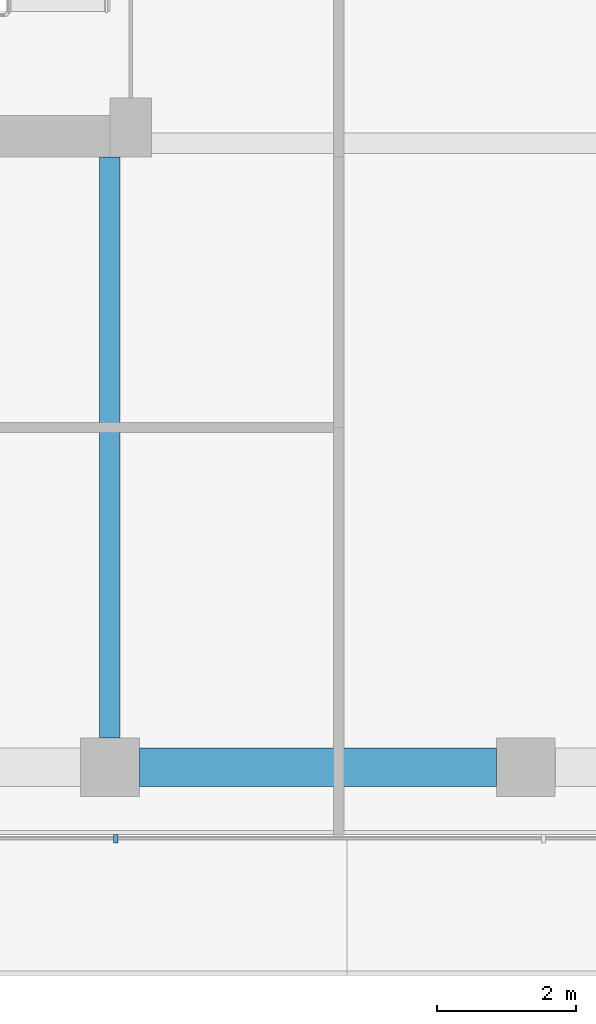
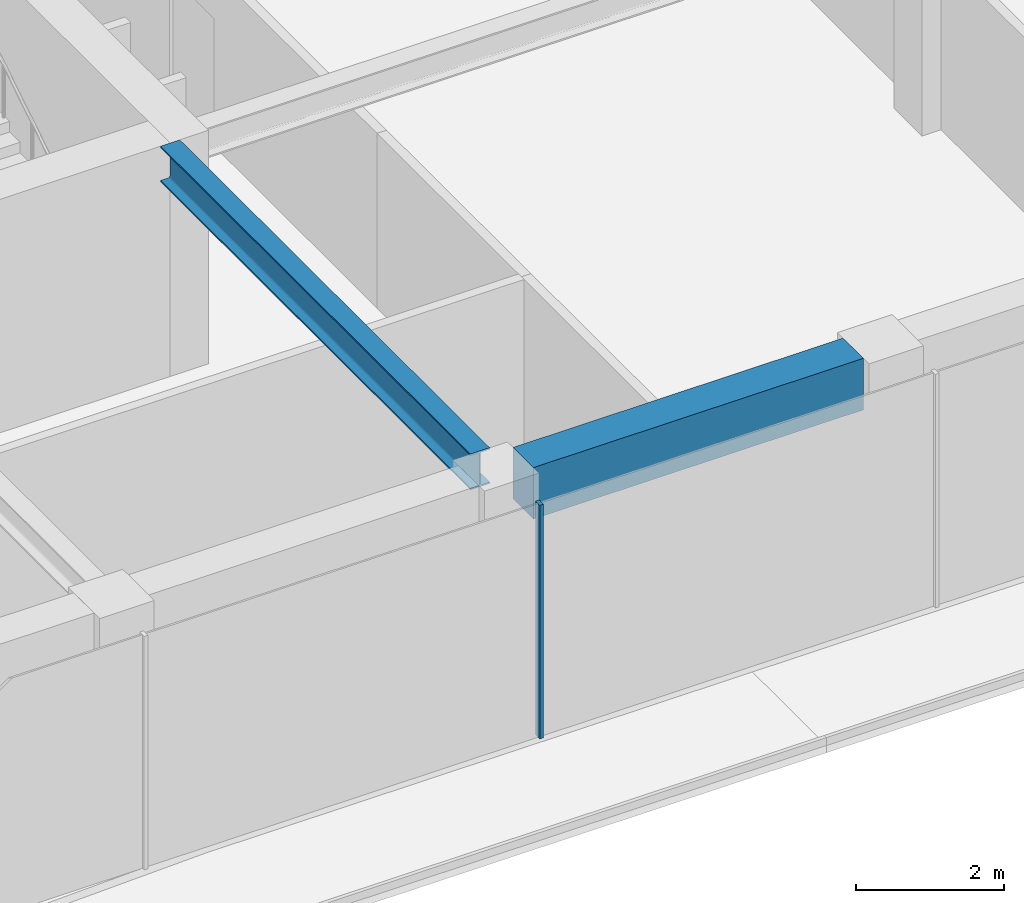
# One storey, part 4 of 21: 2 beams, 1 member, 1 element without a shape of its own.
"""IFC4 building model written with IfcOpenShell, lengths in metres."""

from ifc_helpers import new_model, si_unit, direction, frame, origin, origin_2d, place, context, subcontext, project, spatial, rectangle, i_section, extrude, material, layer, layer_set, material_profile, profile_set, type_object, element, aggregate, save


model = new_model("IFC4")

# Units and contexts
model_context = context("Model", 3, precision=1e-05, world=origin(), true_north=direction((0.0, 1.0)))
body_context = subcontext(model_context, "Body", "Model", "MODEL_VIEW")
ifc_project = project(units=[si_unit("LENGTHUNIT", "METRE"), si_unit("AREAUNIT", "SQUARE_METRE"), si_unit("VOLUMEUNIT", "CUBIC_METRE"), si_unit("PLANEANGLEUNIT", "RADIAN"), si_unit("MASSUNIT", "GRAM", prefix="KILO")], contexts=[model_context])

# Site, building, storey
site_placement = place(None, origin())
site = spatial("IfcSite", under=ifc_project, at=site_placement, CompositionType="ELEMENT")
building_placement = place(site_placement, origin())
building = spatial("IfcBuilding", under=site, at=building_placement, Name="Welwitschia Terrace Campus", CompositionType="ELEMENT")
storey_placement = place(building_placement, frame((0.0, 0.0, 180.199951171875)))
storey = spatial("IfcBuildingStorey", under=building, at=storey_placement, Name="L40", CompositionType="ELEMENT", Elevation=180.199951171875)

# Curtain wall, member
ifc_material_1 = material(Name="Bronze anodised aluminium", Category="aluminium")
ifc_layer = layer(ifc_material_1, 0.1201171875)
ifc_layer_set = layer_set([ifc_layer], Name="Bronze anodised aluminium")
curtain_wall_type = type_object("IfcCurtainWallType", Name="Curtain wall CW2 tower 6000", PredefinedType="NOTDEFINED", material=ifc_layer_set)
curtain_wall_placement = place(storey_placement, origin())
curtain_wall = element("IfcCurtainWall", 1, at=curtain_wall_placement, inside=storey, type_object=curtain_wall_type, Name="CW L40.1.0", PredefinedType="NOTDEFINED")
ifc_material_2 = material(Name="Bronze anodised aluminium", Category="aluminium")
ifc_material_profile_1 = material_profile(ifc_material_2, rectangle(XDim=0.1201171875, YDim=0.06005859375, at=origin_2d()))
ifc_profile_set_1 = profile_set([ifc_material_profile_1], Name="Bronze anodised aluminium")
member_type = type_object("IfcMemberType", Name="Mullion 60x120", PredefinedType="MULLION", material=ifc_profile_set_1)
member_placement = place(storey_placement, frame((24.08544921875, -5.030029296875, 0.0), z_axis=(0.0, 0.0, 1.0), x_axis=(0.0, 1.0, 0.0)))
member = element("IfcMember", 2, at=member_placement, type_object=member_type, Name="Mullion L40.1.0.3", PredefinedType="MULLION", context=body_context, shape_type="SweptSolid", body=[
    extrude(rectangle(XDim=0.1201171875, YDim=0.06005859375, at=origin_2d()), origin(), (0.0, 0.0, 1.0), 3.85009765625),
])
aggregate(curtain_wall, [member])

# Beams
ifc_material_3 = material(Name="Steel S355", Category="steel")
ifc_material_profile_2 = material_profile(ifc_material_3, i_section(OverallWidth=0.300048828125, OverallDepth=0.590087890625, WebThickness=0.012939453125, FlangeThickness=0.02490234375, FilletRadius=0.027099609375, at=origin_2d()))
ifc_profile_set_2 = profile_set([ifc_material_profile_2], Name="Steel S355")
beam_type_1 = type_object("IfcBeamType", Name="Primary beam HE 600 A", PredefinedType="BEAM", material=ifc_profile_set_2)
beam_1_placement = place(storey_placement, frame((24.0, -3.574462890625, 3.554931640625), z_axis=(0.0, 1.0, 0.0), x_axis=(-1.0, 0.0, 0.0)))
element("IfcBeam", 3, at=beam_1_placement, inside=storey, type_object=beam_type_1, Name="Primary beam PB4", PredefinedType="BEAM", context=body_context, shape_type="SweptSolid", body=[
    extrude(i_section(OverallWidth=0.300048828125, OverallDepth=0.590087890625, WebThickness=0.012939453125, FlangeThickness=0.02490234375, FilletRadius=0.027099609375, at=origin_2d()), origin(), (0.0, 0.0, 1.0), 8.37451171875),
])
ifc_material_4 = material(Name="Concrete C50/60", Category="concrete")
ifc_material_profile_3 = material_profile(ifc_material_4, rectangle(XDim=0.550048828125, YDim=0.85009765625, at=origin_2d()))
ifc_profile_set_3 = profile_set([ifc_material_profile_3], Name="Concrete C50/60")
beam_type_2 = type_object("IfcBeamType", Name="Ring spandrel 550x850", PredefinedType="SPANDREL", material=ifc_profile_set_3)
beam_2_placement = place(storey_placement, frame((24.425537109375, -4.0, 3.425048828125), z_axis=(1.0, 0.0, 0.0), x_axis=(0.0, 1.0, 0.0)))
element("IfcBeam", 4, at=beam_2_placement, inside=storey, type_object=beam_type_2, Name="Spandrel SP3", PredefinedType="SPANDREL", context=body_context, shape_type="SweptSolid", body=[
    extrude(rectangle(XDim=0.550048828125, YDim=0.85009765625, at=origin_2d()), origin(), (0.0, 0.0, 1.0), 5.14892578125),
])

save(model, "model.ifc")
